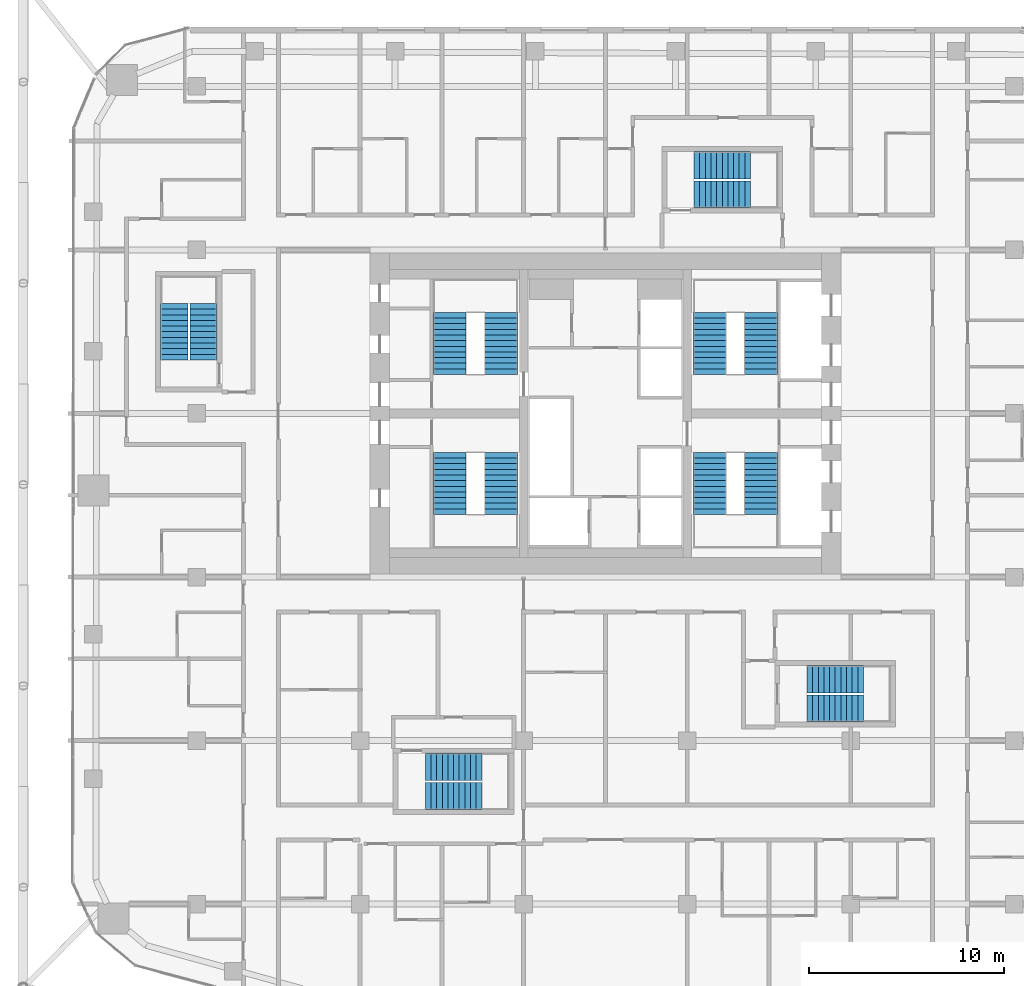
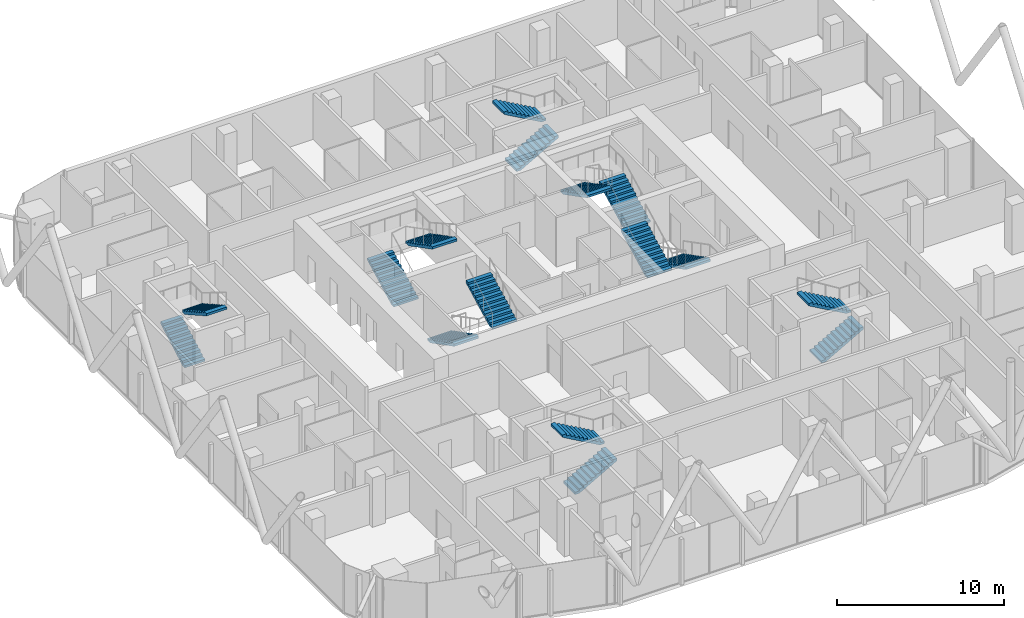
# One storey, part 31 of 33: 16 stair flights, 8 elements without a shape of their own.
"""IFC4 building model written with IfcOpenShell, lengths in metres."""

from ifc_helpers import new_model, si_unit, direction, frame, origin, place, context, subcontext, project, spatial, polyline, outline, extrude, material, type_object, element, aggregate, save


model = new_model("IFC4")

# Units and contexts
model_context = context("Model", 3, precision=1e-05, world=origin(), true_north=direction((0.0, 1.0)))
body_context = subcontext(model_context, "Body", "Model", "MODEL_VIEW")
ifc_project = project(units=[si_unit("LENGTHUNIT", "METRE"), si_unit("AREAUNIT", "SQUARE_METRE"), si_unit("VOLUMEUNIT", "CUBIC_METRE"), si_unit("PLANEANGLEUNIT", "RADIAN"), si_unit("MASSUNIT", "GRAM", prefix="KILO")], contexts=[model_context])

# Site, building, storey
site_placement = place(None, origin())
site = spatial("IfcSite", under=ifc_project, at=site_placement, CompositionType="ELEMENT")
building_placement = place(site_placement, origin())
building = spatial("IfcBuilding", under=site, at=building_placement, Name="Marenta Gate Hotel Tower", CompositionType="ELEMENT")
storey_placement = place(building_placement, frame((0.0, 0.0, 122.89990234375)))
storey = spatial("IfcBuildingStorey", under=building, at=storey_placement, Name="L27", CompositionType="ELEMENT", Elevation=122.89990234375)

# Stair, stair flights
ifc_material_1 = material(Name="Concrete C40", Category="concrete")
stair_type_1 = type_object("IfcStairType", Name="Core exit stair 1700 wide", PredefinedType="HALF_TURN_STAIR", material=ifc_material_1)
stair_1_placement = place(storey_placement, origin())
stair_1 = element("IfcStair", 1, at=stair_1_placement, inside=storey, type_object=stair_type_1, Name="Exit stair 1", PredefinedType="HALF_TURN_STAIR")
ifc_material_2 = material(Name="Concrete C40", Category="concrete")
stair_flight_type_1 = type_object("IfcStairFlightType", Name="Core stair flight 1700 riser 150.0 going 290", PredefinedType="STRAIGHT", material=ifc_material_2)
stair_flight_1_placement = place(storey_placement, frame((-8.0, 6.39990234375, 0.0), z_axis=(0.0, 0.0, 1.0), x_axis=(0.0, -1.0, 0.0)))
stair_flight_1 = element("IfcStairFlight", 2, at=stair_flight_1_placement, type_object=stair_flight_type_1, Name="ST1 flight 1", NumberOfRisers=12, NumberOfTreads=11, PredefinedType="STRAIGHT", RiserHeight=0.15, TreadLength=0.29, context=body_context, shape_type="SweptSolid", body=[
    extrude(outline(polyline([(0.0, 0.0), (0.0, 0.14990234375), (0.2900390625, 0.14990234375), (0.2900390625, 0.300048828125), (0.580078125, 0.300048828125), (0.580078125, 0.449951171875), (0.8701171875, 0.449951171875), (0.8701171875, 0.60009765625), (1.159912109375, 0.60009765625), (1.159912109375, 0.75), (1.449951171875, 0.75), (1.449951171875, 0.89990234375), (1.739990234375, 0.89990234375), (1.739990234375, 1.050048828125), (2.030029296875, 1.050048828125), (2.030029296875, 1.199951171875), (2.320068359375, 1.199951171875), (2.320068359375, 1.35009765625), (2.610107421875, 1.35009765625), (2.610107421875, 1.5), (2.89990234375, 1.5), (2.89990234375, 1.64990234375), (3.18994140625, 1.64990234375), (3.18994140625, 1.800048828125), (3.18994140625, 1.481201171875), (0.326171875, 0.0), (0.0, 0.0)])), frame((0.0, 0.85009765625, 0.0), z_axis=(0.0, -1.0, 0.0), x_axis=(1.0, 0.0, 0.0)), (0.0, 0.0, 1.0), 1.699951171875),
])
stair_flight_2_placement = place(storey_placement, frame((-5.35009765625, 3.2099609375, 1.800048828125), z_axis=(0.0, 0.0, 1.0), x_axis=(0.0, 1.0, 0.0)))
stair_flight_2 = element("IfcStairFlight", 3, at=stair_flight_2_placement, type_object=stair_flight_type_1, Name="ST1 flight 2", NumberOfRisers=12, NumberOfTreads=11, PredefinedType="STRAIGHT", RiserHeight=0.15, TreadLength=0.29, context=body_context, shape_type="SweptSolid", body=[
    extrude(outline(polyline([(0.0, 0.0), (0.0, 0.14990234375), (0.2900390625, 0.14990234375), (0.2900390625, 0.300048828125), (0.580078125, 0.300048828125), (0.580078125, 0.449951171875), (0.8701171875, 0.449951171875), (0.8701171875, 0.60009765625), (1.159912109375, 0.60009765625), (1.159912109375, 0.75), (1.449951171875, 0.75), (1.449951171875, 0.89990234375), (1.739990234375, 0.89990234375), (1.739990234375, 1.050048828125), (2.030029296875, 1.050048828125), (2.030029296875, 1.199951171875), (2.320068359375, 1.199951171875), (2.320068359375, 1.35009765625), (2.610107421875, 1.35009765625), (2.610107421875, 1.5), (2.89990234375, 1.5), (2.89990234375, 1.64990234375), (3.18994140625, 1.64990234375), (3.18994140625, 1.800048828125), (3.18994140625, 1.481201171875), (0.326171875, 0.0), (0.0, 0.0)])), frame((0.0, 0.85009765625, 0.0), z_axis=(0.0, -1.0, 0.0), x_axis=(1.0, 0.0, 0.0)), (0.0, 0.0, 1.0), 1.699951171875),
])
aggregate(stair_1, [stair_flight_1, stair_flight_2])

stair_2_placement = place(storey_placement, origin())
stair_2 = element("IfcStair", 4, at=stair_2_placement, inside=storey, type_object=stair_type_1, Name="Exit stair 2", PredefinedType="HALF_TURN_STAIR")
stair_flight_3_placement = place(storey_placement, frame((-8.0, 10.39990234375, 0.0), z_axis=(0.0, 0.0, 1.0), x_axis=(0.0, 1.0, 0.0)))
stair_flight_3 = element("IfcStairFlight", 5, at=stair_flight_3_placement, type_object=stair_flight_type_1, Name="ST2 flight 1", NumberOfRisers=12, NumberOfTreads=11, PredefinedType="STRAIGHT", RiserHeight=0.15, TreadLength=0.29, context=body_context, shape_type="SweptSolid", body=[
    extrude(outline(polyline([(0.0, 0.0), (0.0, 0.14990234375), (0.2900390625, 0.14990234375), (0.2900390625, 0.300048828125), (0.580078125, 0.300048828125), (0.580078125, 0.449951171875), (0.8701171875, 0.449951171875), (0.8701171875, 0.60009765625), (1.159912109375, 0.60009765625), (1.159912109375, 0.75), (1.449951171875, 0.75), (1.449951171875, 0.89990234375), (1.739990234375, 0.89990234375), (1.739990234375, 1.050048828125), (2.030029296875, 1.050048828125), (2.030029296875, 1.199951171875), (2.320068359375, 1.199951171875), (2.320068359375, 1.35009765625), (2.610107421875, 1.35009765625), (2.610107421875, 1.5), (2.89990234375, 1.5), (2.89990234375, 1.64990234375), (3.18994140625, 1.64990234375), (3.18994140625, 1.800048828125), (3.18994140625, 1.481201171875), (0.326171875, 0.0), (0.0, 0.0)])), frame((0.0, 0.85009765625, 0.0), z_axis=(0.0, -1.0, 0.0), x_axis=(1.0, 0.0, 0.0)), (0.0, 0.0, 1.0), 1.699951171875),
])
stair_flight_4_placement = place(storey_placement, frame((-5.35009765625, 13.590087890625, 1.800048828125), z_axis=(0.0, 0.0, 1.0), x_axis=(0.0, -1.0, 0.0)))
stair_flight_4 = element("IfcStairFlight", 6, at=stair_flight_4_placement, type_object=stair_flight_type_1, Name="ST2 flight 2", NumberOfRisers=12, NumberOfTreads=11, PredefinedType="STRAIGHT", RiserHeight=0.15, TreadLength=0.29, context=body_context, shape_type="SweptSolid", body=[
    extrude(outline(polyline([(0.0, 0.0), (0.0, 0.14990234375), (0.2900390625, 0.14990234375), (0.2900390625, 0.300048828125), (0.580078125, 0.300048828125), (0.580078125, 0.449951171875), (0.8701171875, 0.449951171875), (0.8701171875, 0.60009765625), (1.159912109375, 0.60009765625), (1.159912109375, 0.75), (1.449951171875, 0.75), (1.449951171875, 0.89990234375), (1.739990234375, 0.89990234375), (1.739990234375, 1.050048828125), (2.030029296875, 1.050048828125), (2.030029296875, 1.199951171875), (2.320068359375, 1.199951171875), (2.320068359375, 1.35009765625), (2.610107421875, 1.35009765625), (2.610107421875, 1.5), (2.89990234375, 1.5), (2.89990234375, 1.64990234375), (3.18994140625, 1.64990234375), (3.18994140625, 1.800048828125), (3.18994140625, 1.481201171875), (0.326171875, 0.0), (0.0, 0.0)])), frame((0.0, 0.85009765625, 0.0), z_axis=(0.0, -1.0, 0.0), x_axis=(1.0, 0.0, 0.0)), (0.0, 0.0, 1.0), 1.699951171875),
])
aggregate(stair_2, [stair_flight_3, stair_flight_4])

stair_3_placement = place(storey_placement, origin())
stair_3 = element("IfcStair", 7, at=stair_3_placement, inside=storey, type_object=stair_type_1, Name="Exit stair 3", PredefinedType="HALF_TURN_STAIR")
stair_flight_5_placement = place(storey_placement, frame((8.0, 6.39990234375, 0.0), z_axis=(0.0, 0.0, 1.0), x_axis=(0.0, -1.0, 0.0)))
stair_flight_5 = element("IfcStairFlight", 8, at=stair_flight_5_placement, type_object=stair_flight_type_1, Name="ST3 flight 1", NumberOfRisers=12, NumberOfTreads=11, PredefinedType="STRAIGHT", RiserHeight=0.15, TreadLength=0.29, context=body_context, shape_type="SweptSolid", body=[
    extrude(outline(polyline([(0.0, 0.0), (0.0, 0.14990234375), (0.2900390625, 0.14990234375), (0.2900390625, 0.300048828125), (0.580078125, 0.300048828125), (0.580078125, 0.449951171875), (0.8701171875, 0.449951171875), (0.8701171875, 0.60009765625), (1.159912109375, 0.60009765625), (1.159912109375, 0.75), (1.449951171875, 0.75), (1.449951171875, 0.89990234375), (1.739990234375, 0.89990234375), (1.739990234375, 1.050048828125), (2.030029296875, 1.050048828125), (2.030029296875, 1.199951171875), (2.320068359375, 1.199951171875), (2.320068359375, 1.35009765625), (2.610107421875, 1.35009765625), (2.610107421875, 1.5), (2.89990234375, 1.5), (2.89990234375, 1.64990234375), (3.18994140625, 1.64990234375), (3.18994140625, 1.800048828125), (3.18994140625, 1.481201171875), (0.326171875, 0.0), (0.0, 0.0)])), frame((0.0, 0.85009765625, 0.0), z_axis=(0.0, -1.0, 0.0), x_axis=(1.0, 0.0, 0.0)), (0.0, 0.0, 1.0), 1.699951171875),
])
stair_flight_6_placement = place(storey_placement, frame((5.35009765625, 3.2099609375, 1.800048828125), z_axis=(0.0, 0.0, 1.0), x_axis=(0.0, 1.0, 0.0)))
stair_flight_6 = element("IfcStairFlight", 9, at=stair_flight_6_placement, type_object=stair_flight_type_1, Name="ST3 flight 2", NumberOfRisers=12, NumberOfTreads=11, PredefinedType="STRAIGHT", RiserHeight=0.15, TreadLength=0.29, context=body_context, shape_type="SweptSolid", body=[
    extrude(outline(polyline([(0.0, 0.0), (0.0, 0.14990234375), (0.2900390625, 0.14990234375), (0.2900390625, 0.300048828125), (0.580078125, 0.300048828125), (0.580078125, 0.449951171875), (0.8701171875, 0.449951171875), (0.8701171875, 0.60009765625), (1.159912109375, 0.60009765625), (1.159912109375, 0.75), (1.449951171875, 0.75), (1.449951171875, 0.89990234375), (1.739990234375, 0.89990234375), (1.739990234375, 1.050048828125), (2.030029296875, 1.050048828125), (2.030029296875, 1.199951171875), (2.320068359375, 1.199951171875), (2.320068359375, 1.35009765625), (2.610107421875, 1.35009765625), (2.610107421875, 1.5), (2.89990234375, 1.5), (2.89990234375, 1.64990234375), (3.18994140625, 1.64990234375), (3.18994140625, 1.800048828125), (3.18994140625, 1.481201171875), (0.326171875, 0.0), (0.0, 0.0)])), frame((0.0, 0.85009765625, 0.0), z_axis=(0.0, -1.0, 0.0), x_axis=(1.0, 0.0, 0.0)), (0.0, 0.0, 1.0), 1.699951171875),
])
aggregate(stair_3, [stair_flight_5, stair_flight_6])

stair_4_placement = place(storey_placement, origin())
stair_4 = element("IfcStair", 10, at=stair_4_placement, inside=storey, type_object=stair_type_1, Name="Exit stair 4", PredefinedType="HALF_TURN_STAIR")
stair_flight_7_placement = place(storey_placement, frame((8.0, 10.39990234375, 0.0), z_axis=(0.0, 0.0, 1.0), x_axis=(0.0, 1.0, 0.0)))
stair_flight_7 = element("IfcStairFlight", 11, at=stair_flight_7_placement, type_object=stair_flight_type_1, Name="ST4 flight 1", NumberOfRisers=12, NumberOfTreads=11, PredefinedType="STRAIGHT", RiserHeight=0.15, TreadLength=0.29, context=body_context, shape_type="SweptSolid", body=[
    extrude(outline(polyline([(0.0, 0.0), (0.0, 0.14990234375), (0.2900390625, 0.14990234375), (0.2900390625, 0.300048828125), (0.580078125, 0.300048828125), (0.580078125, 0.449951171875), (0.8701171875, 0.449951171875), (0.8701171875, 0.60009765625), (1.159912109375, 0.60009765625), (1.159912109375, 0.75), (1.449951171875, 0.75), (1.449951171875, 0.89990234375), (1.739990234375, 0.89990234375), (1.739990234375, 1.050048828125), (2.030029296875, 1.050048828125), (2.030029296875, 1.199951171875), (2.320068359375, 1.199951171875), (2.320068359375, 1.35009765625), (2.610107421875, 1.35009765625), (2.610107421875, 1.5), (2.89990234375, 1.5), (2.89990234375, 1.64990234375), (3.18994140625, 1.64990234375), (3.18994140625, 1.800048828125), (3.18994140625, 1.481201171875), (0.326171875, 0.0), (0.0, 0.0)])), frame((0.0, 0.85009765625, 0.0), z_axis=(0.0, -1.0, 0.0), x_axis=(1.0, 0.0, 0.0)), (0.0, 0.0, 1.0), 1.699951171875),
])
stair_flight_8_placement = place(storey_placement, frame((5.35009765625, 13.590087890625, 1.800048828125), z_axis=(0.0, 0.0, 1.0), x_axis=(0.0, -1.0, 0.0)))
stair_flight_8 = element("IfcStairFlight", 12, at=stair_flight_8_placement, type_object=stair_flight_type_1, Name="ST4 flight 2", NumberOfRisers=12, NumberOfTreads=11, PredefinedType="STRAIGHT", RiserHeight=0.15, TreadLength=0.29, context=body_context, shape_type="SweptSolid", body=[
    extrude(outline(polyline([(0.0, 0.0), (0.0, 0.14990234375), (0.2900390625, 0.14990234375), (0.2900390625, 0.300048828125), (0.580078125, 0.300048828125), (0.580078125, 0.449951171875), (0.8701171875, 0.449951171875), (0.8701171875, 0.60009765625), (1.159912109375, 0.60009765625), (1.159912109375, 0.75), (1.449951171875, 0.75), (1.449951171875, 0.89990234375), (1.739990234375, 0.89990234375), (1.739990234375, 1.050048828125), (2.030029296875, 1.050048828125), (2.030029296875, 1.199951171875), (2.320068359375, 1.199951171875), (2.320068359375, 1.35009765625), (2.610107421875, 1.35009765625), (2.610107421875, 1.5), (2.89990234375, 1.5), (2.89990234375, 1.64990234375), (3.18994140625, 1.64990234375), (3.18994140625, 1.800048828125), (3.18994140625, 1.481201171875), (0.326171875, 0.0), (0.0, 0.0)])), frame((0.0, 0.85009765625, 0.0), z_axis=(0.0, -1.0, 0.0), x_axis=(1.0, 0.0, 0.0)), (0.0, 0.0, 1.0), 1.699951171875),
])
aggregate(stair_4, [stair_flight_7, stair_flight_8])

ifc_material_3 = material(Name="Concrete C40", Category="concrete")
stair_type_2 = type_object("IfcStairType", Name="Remote exit stair 1400 wide", PredefinedType="HALF_TURN_STAIR", material=ifc_material_3)
stair_5_placement = place(storey_placement, origin())
stair_5 = element("IfcStair", 13, at=stair_5_placement, inside=storey, type_object=stair_type_2, Name="Exit stair RS-Z1-3", PredefinedType="HALF_TURN_STAIR")
ifc_material_4 = material(Name="Concrete C40", Category="concrete")
stair_flight_type_2 = type_object("IfcStairFlightType", Name="Remote stair flight 1400 riser 163.6 going 290", PredefinedType="STRAIGHT", material=ifc_material_4)
stair_flight_9_placement = place(storey_placement, frame((-22.14990234375, 11.14990234375, 0.0), z_axis=(0.0, 0.0, 1.0), x_axis=(0.0, 1.0, 0.0)))
stair_flight_9 = element("IfcStairFlight", 14, at=stair_flight_9_placement, type_object=stair_flight_type_2, Name="RS-Z1-3 flight 1", NumberOfRisers=11, NumberOfTreads=10, PredefinedType="STRAIGHT", RiserHeight=0.163636, TreadLength=0.29, context=body_context, shape_type="SweptSolid", body=[
    extrude(outline(polyline([(0.0, 0.0), (0.0, 0.16357421875), (0.2900390625, 0.16357421875), (0.2900390625, 0.327392578125), (0.580078125, 0.327392578125), (0.580078125, 0.490966796875), (0.8701171875, 0.490966796875), (0.8701171875, 0.654541015625), (1.159912109375, 0.654541015625), (1.159912109375, 0.818115234375), (1.449951171875, 0.818115234375), (1.449951171875, 0.98193359375), (1.739990234375, 0.98193359375), (1.739990234375, 1.1455078125), (2.030029296875, 1.1455078125), (2.030029296875, 1.30908203125), (2.320068359375, 1.30908203125), (2.320068359375, 1.47265625), (2.610107421875, 1.47265625), (2.610107421875, 1.636474609375), (2.89990234375, 1.636474609375), (2.89990234375, 1.800048828125), (2.89990234375, 1.46435546875), (0.304931640625, 0.0), (0.0, 0.0)])), frame((0.0, 0.699951171875, 0.0), z_axis=(0.0, -1.0, 0.0), x_axis=(1.0, 0.0, 0.0)), (0.0, 0.0, 1.0), 1.39990234375),
])
stair_flight_10_placement = place(storey_placement, frame((-20.64990234375, 14.050048828125, 1.800048828125), z_axis=(0.0, 0.0, 1.0), x_axis=(0.0, -1.0, 0.0)))
stair_flight_10 = element("IfcStairFlight", 15, at=stair_flight_10_placement, type_object=stair_flight_type_2, Name="RS-Z1-3 flight 2", NumberOfRisers=11, NumberOfTreads=10, PredefinedType="STRAIGHT", RiserHeight=0.163636, TreadLength=0.29, context=body_context, shape_type="SweptSolid", body=[
    extrude(outline(polyline([(0.0, 0.0), (0.0, 0.16357421875), (0.2900390625, 0.16357421875), (0.2900390625, 0.327392578125), (0.580078125, 0.327392578125), (0.580078125, 0.490966796875), (0.8701171875, 0.490966796875), (0.8701171875, 0.654541015625), (1.159912109375, 0.654541015625), (1.159912109375, 0.818115234375), (1.449951171875, 0.818115234375), (1.449951171875, 0.98193359375), (1.739990234375, 0.98193359375), (1.739990234375, 1.1455078125), (2.030029296875, 1.1455078125), (2.030029296875, 1.30908203125), (2.320068359375, 1.30908203125), (2.320068359375, 1.47265625), (2.610107421875, 1.47265625), (2.610107421875, 1.636474609375), (2.89990234375, 1.636474609375), (2.89990234375, 1.800048828125), (2.89990234375, 1.46435546875), (0.304931640625, 0.0), (0.0, 0.0)])), frame((0.0, 0.699951171875, 0.0), z_axis=(0.0, -1.0, 0.0), x_axis=(1.0, 0.0, 0.0)), (0.0, 0.0, 1.0), 1.39990234375),
])
aggregate(stair_5, [stair_flight_9, stair_flight_10])

stair_6_placement = place(storey_placement, origin())
stair_6 = element("IfcStair", 16, at=stair_6_placement, inside=storey, type_object=stair_type_2, Name="Exit stair RS-Z2-1", PredefinedType="HALF_TURN_STAIR")
stair_flight_11_placement = place(storey_placement, frame((-9.25, -11.25, 0.0), z_axis=(0.0, 0.0, 1.0), x_axis=(1.0, 0.0, 0.0)))
stair_flight_11 = element("IfcStairFlight", 17, at=stair_flight_11_placement, type_object=stair_flight_type_2, Name="RS-Z2-1 flight 1", NumberOfRisers=11, NumberOfTreads=10, PredefinedType="STRAIGHT", RiserHeight=0.163636, TreadLength=0.29, context=body_context, shape_type="SweptSolid", body=[
    extrude(outline(polyline([(0.0, 0.0), (0.0, 0.16357421875), (0.2900390625, 0.16357421875), (0.2900390625, 0.327392578125), (0.580078125, 0.327392578125), (0.580078125, 0.490966796875), (0.8701171875, 0.490966796875), (0.8701171875, 0.654541015625), (1.159912109375, 0.654541015625), (1.159912109375, 0.818115234375), (1.449951171875, 0.818115234375), (1.449951171875, 0.98193359375), (1.739990234375, 0.98193359375), (1.739990234375, 1.1455078125), (2.030029296875, 1.1455078125), (2.030029296875, 1.30908203125), (2.320068359375, 1.30908203125), (2.320068359375, 1.47265625), (2.610107421875, 1.47265625), (2.610107421875, 1.636474609375), (2.89990234375, 1.636474609375), (2.89990234375, 1.800048828125), (2.89990234375, 1.46435546875), (0.304931640625, 0.0), (0.0, 0.0)])), frame((0.0, 0.699951171875, 0.0), z_axis=(0.0, -1.0, 0.0), x_axis=(1.0, 0.0, 0.0)), (0.0, 0.0, 1.0), 1.39990234375),
])
stair_flight_12_placement = place(storey_placement, frame((-6.35009765625, -9.75, 1.800048828125), z_axis=(0.0, 0.0, 1.0), x_axis=(-1.0, 0.0, 0.0)))
stair_flight_12 = element("IfcStairFlight", 18, at=stair_flight_12_placement, type_object=stair_flight_type_2, Name="RS-Z2-1 flight 2", NumberOfRisers=11, NumberOfTreads=10, PredefinedType="STRAIGHT", RiserHeight=0.163636, TreadLength=0.29, context=body_context, shape_type="SweptSolid", body=[
    extrude(outline(polyline([(0.0, 0.0), (0.0, 0.16357421875), (0.2900390625, 0.16357421875), (0.2900390625, 0.327392578125), (0.580078125, 0.327392578125), (0.580078125, 0.490966796875), (0.8701171875, 0.490966796875), (0.8701171875, 0.654541015625), (1.159912109375, 0.654541015625), (1.159912109375, 0.818115234375), (1.449951171875, 0.818115234375), (1.449951171875, 0.98193359375), (1.739990234375, 0.98193359375), (1.739990234375, 1.1455078125), (2.030029296875, 1.1455078125), (2.030029296875, 1.30908203125), (2.320068359375, 1.30908203125), (2.320068359375, 1.47265625), (2.610107421875, 1.47265625), (2.610107421875, 1.636474609375), (2.89990234375, 1.636474609375), (2.89990234375, 1.800048828125), (2.89990234375, 1.46435546875), (0.304931640625, 0.0), (0.0, 0.0)])), frame((0.0, 0.699951171875, 0.0), z_axis=(0.0, -1.0, 0.0), x_axis=(1.0, 0.0, 0.0)), (0.0, 0.0, 1.0), 1.39990234375),
])
aggregate(stair_6, [stair_flight_11, stair_flight_12])

stair_7_placement = place(storey_placement, origin())
stair_7 = element("IfcStair", 19, at=stair_7_placement, inside=storey, type_object=stair_type_2, Name="Exit stair RS-Z2-2", PredefinedType="HALF_TURN_STAIR")
stair_flight_13_placement = place(storey_placement, frame((10.35009765625, -6.75, 0.0), z_axis=(0.0, 0.0, 1.0), x_axis=(1.0, 0.0, 0.0)))
stair_flight_13 = element("IfcStairFlight", 20, at=stair_flight_13_placement, type_object=stair_flight_type_2, Name="RS-Z2-2 flight 1", NumberOfRisers=11, NumberOfTreads=10, PredefinedType="STRAIGHT", RiserHeight=0.163636, TreadLength=0.29, context=body_context, shape_type="SweptSolid", body=[
    extrude(outline(polyline([(0.0, 0.0), (0.0, 0.16357421875), (0.2900390625, 0.16357421875), (0.2900390625, 0.327392578125), (0.580078125, 0.327392578125), (0.580078125, 0.490966796875), (0.8701171875, 0.490966796875), (0.8701171875, 0.654541015625), (1.159912109375, 0.654541015625), (1.159912109375, 0.818115234375), (1.449951171875, 0.818115234375), (1.449951171875, 0.98193359375), (1.739990234375, 0.98193359375), (1.739990234375, 1.1455078125), (2.030029296875, 1.1455078125), (2.030029296875, 1.30908203125), (2.320068359375, 1.30908203125), (2.320068359375, 1.47265625), (2.610107421875, 1.47265625), (2.610107421875, 1.636474609375), (2.89990234375, 1.636474609375), (2.89990234375, 1.800048828125), (2.89990234375, 1.46435546875), (0.304931640625, 0.0), (0.0, 0.0)])), frame((0.0, 0.699951171875, 0.0), z_axis=(0.0, -1.0, 0.0), x_axis=(1.0, 0.0, 0.0)), (0.0, 0.0, 1.0), 1.39990234375),
])
stair_flight_14_placement = place(storey_placement, frame((13.25, -5.25, 1.800048828125), z_axis=(0.0, 0.0, 1.0), x_axis=(-1.0, 0.0, 0.0)))
stair_flight_14 = element("IfcStairFlight", 21, at=stair_flight_14_placement, type_object=stair_flight_type_2, Name="RS-Z2-2 flight 2", NumberOfRisers=11, NumberOfTreads=10, PredefinedType="STRAIGHT", RiserHeight=0.163636, TreadLength=0.29, context=body_context, shape_type="SweptSolid", body=[
    extrude(outline(polyline([(0.0, 0.0), (0.0, 0.16357421875), (0.2900390625, 0.16357421875), (0.2900390625, 0.327392578125), (0.580078125, 0.327392578125), (0.580078125, 0.490966796875), (0.8701171875, 0.490966796875), (0.8701171875, 0.654541015625), (1.159912109375, 0.654541015625), (1.159912109375, 0.818115234375), (1.449951171875, 0.818115234375), (1.449951171875, 0.98193359375), (1.739990234375, 0.98193359375), (1.739990234375, 1.1455078125), (2.030029296875, 1.1455078125), (2.030029296875, 1.30908203125), (2.320068359375, 1.30908203125), (2.320068359375, 1.47265625), (2.610107421875, 1.47265625), (2.610107421875, 1.636474609375), (2.89990234375, 1.636474609375), (2.89990234375, 1.800048828125), (2.89990234375, 1.46435546875), (0.304931640625, 0.0), (0.0, 0.0)])), frame((0.0, 0.699951171875, 0.0), z_axis=(0.0, -1.0, 0.0), x_axis=(1.0, 0.0, 0.0)), (0.0, 0.0, 1.0), 1.39990234375),
])
aggregate(stair_7, [stair_flight_13, stair_flight_14])

stair_8_placement = place(storey_placement, origin())
stair_8 = element("IfcStair", 22, at=stair_8_placement, inside=storey, type_object=stair_type_2, Name="Exit stair RS-Z2-4", PredefinedType="HALF_TURN_STAIR")
stair_flight_15_placement = place(storey_placement, frame((4.550048828125, 19.64990234375, 0.0), z_axis=(0.0, 0.0, 1.0), x_axis=(1.0, 0.0, 0.0)))
stair_flight_15 = element("IfcStairFlight", 23, at=stair_flight_15_placement, type_object=stair_flight_type_2, Name="RS-Z2-4 flight 1", NumberOfRisers=11, NumberOfTreads=10, PredefinedType="STRAIGHT", RiserHeight=0.163636, TreadLength=0.29, context=body_context, shape_type="SweptSolid", body=[
    extrude(outline(polyline([(0.0, 0.0), (0.0, 0.16357421875), (0.2900390625, 0.16357421875), (0.2900390625, 0.327392578125), (0.580078125, 0.327392578125), (0.580078125, 0.490966796875), (0.8701171875, 0.490966796875), (0.8701171875, 0.654541015625), (1.159912109375, 0.654541015625), (1.159912109375, 0.818115234375), (1.449951171875, 0.818115234375), (1.449951171875, 0.98193359375), (1.739990234375, 0.98193359375), (1.739990234375, 1.1455078125), (2.030029296875, 1.1455078125), (2.030029296875, 1.30908203125), (2.320068359375, 1.30908203125), (2.320068359375, 1.47265625), (2.610107421875, 1.47265625), (2.610107421875, 1.636474609375), (2.89990234375, 1.636474609375), (2.89990234375, 1.800048828125), (2.89990234375, 1.46435546875), (0.304931640625, 0.0), (0.0, 0.0)])), frame((0.0, 0.699951171875, 0.0), z_axis=(0.0, -1.0, 0.0), x_axis=(1.0, 0.0, 0.0)), (0.0, 0.0, 1.0), 1.39990234375),
])
stair_flight_16_placement = place(storey_placement, frame((7.449951171875, 21.14990234375, 1.800048828125), z_axis=(0.0, 0.0, 1.0), x_axis=(-1.0, 0.0, 0.0)))
stair_flight_16 = element("IfcStairFlight", 24, at=stair_flight_16_placement, type_object=stair_flight_type_2, Name="RS-Z2-4 flight 2", NumberOfRisers=11, NumberOfTreads=10, PredefinedType="STRAIGHT", RiserHeight=0.163636, TreadLength=0.29, context=body_context, shape_type="SweptSolid", body=[
    extrude(outline(polyline([(0.0, 0.0), (0.0, 0.16357421875), (0.2900390625, 0.16357421875), (0.2900390625, 0.327392578125), (0.580078125, 0.327392578125), (0.580078125, 0.490966796875), (0.8701171875, 0.490966796875), (0.8701171875, 0.654541015625), (1.159912109375, 0.654541015625), (1.159912109375, 0.818115234375), (1.449951171875, 0.818115234375), (1.449951171875, 0.98193359375), (1.739990234375, 0.98193359375), (1.739990234375, 1.1455078125), (2.030029296875, 1.1455078125), (2.030029296875, 1.30908203125), (2.320068359375, 1.30908203125), (2.320068359375, 1.47265625), (2.610107421875, 1.47265625), (2.610107421875, 1.636474609375), (2.89990234375, 1.636474609375), (2.89990234375, 1.800048828125), (2.89990234375, 1.46435546875), (0.304931640625, 0.0), (0.0, 0.0)])), frame((0.0, 0.699951171875, 0.0), z_axis=(0.0, -1.0, 0.0), x_axis=(1.0, 0.0, 0.0)), (0.0, 0.0, 1.0), 1.39990234375),
])
aggregate(stair_8, [stair_flight_15, stair_flight_16])

save(model, "model.ifc")
